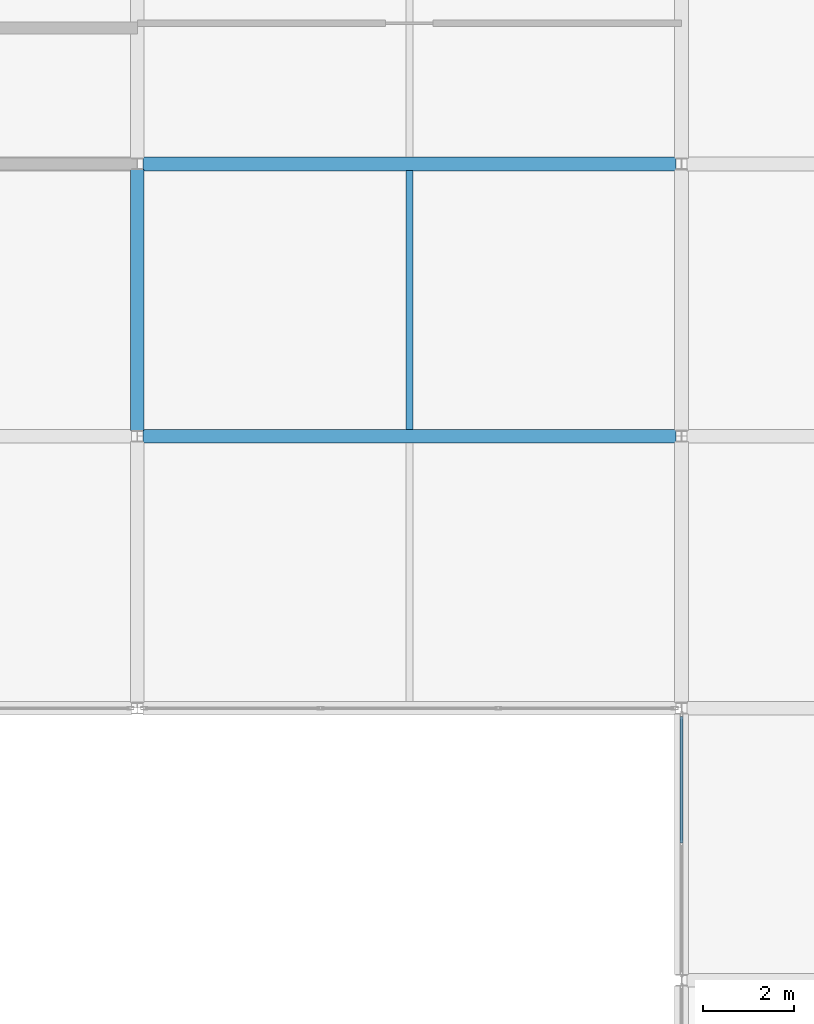
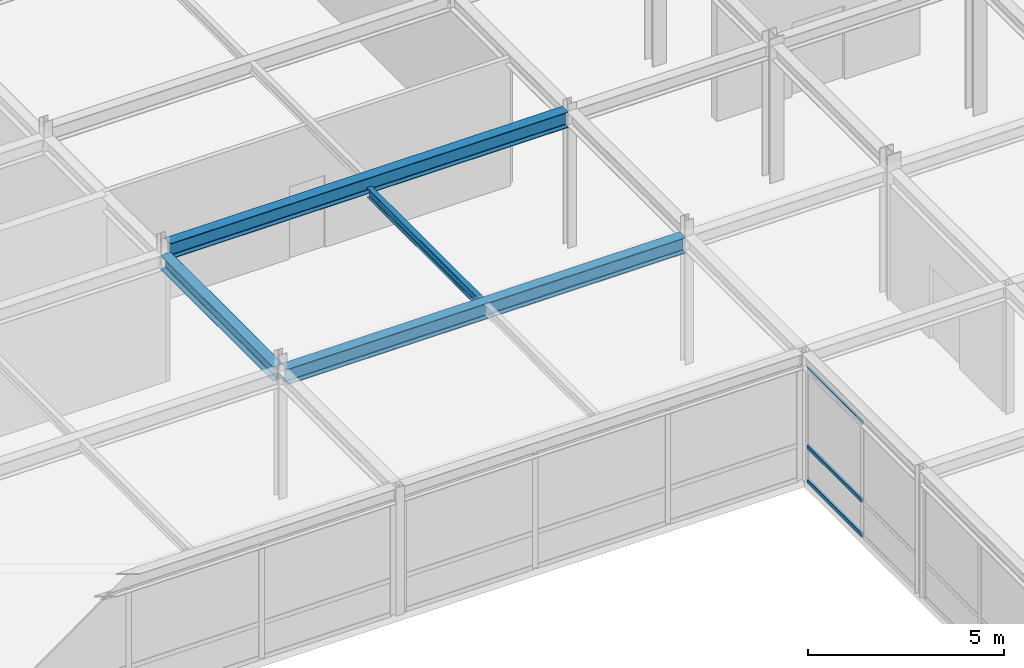
# One storey, part 75 of 111: 4 beams, 3 members, 1 element without a shape of its own.
"""IFC4 building model written with IfcOpenShell, lengths in metres."""

import ifcopenshell
import ifcopenshell.guid

model = None  # the IFC model being written
_history = None  # IfcOwnerHistory: only IFC2X3 demands one
_inside = {}  # id of a spatial element -> (the spatial element, [elements in it])
_under = {}  # id of a project, library or spatial element -> (it, [spatial elements below it])
_declared = {}  # id of a project -> (the project, [libraries it declares])
_typed = {}  # id of a type object -> (the type object, [elements of that type])
_made_of = {}  # id of a material, layer set ... -> (it, [elements and type objects made of it])


def new_model(schema):
    """Start an empty IFC model of exactly this schema.

    Asked for "IFC4X3", IfcOpenShell would pick the latest addendum, in which some entities
    have other attributes; the version numbers below select the first issue.
    IFC2X3 requires an IfcOwnerHistory on every rooted entity: one is made here for all.
    """
    global model, _history
    if schema == "IFC4X3":
        model = ifcopenshell.file(schema_version=(4, 3, 0, 0))
    else:
        model = ifcopenshell.file(schema=schema)
    _inside.clear()
    _under.clear()
    _declared.clear()
    _typed.clear()
    _made_of.clear()
    _history = None
    if model.schema == "IFC2X3":
        org = make("IfcOrganization", Name="unknown")
        user = make(
            "IfcPersonAndOrganization",
            ThePerson=make("IfcPerson", FamilyName="unknown"),
            TheOrganization=org,
        )
        app = make(
            "IfcApplication",
            ApplicationDeveloper=org,
            Version="unknown",
            ApplicationFullName="unknown",
            ApplicationIdentifier="unknown",
        )
        _history = make(
            "IfcOwnerHistory",
            OwningUser=user,
            OwningApplication=app,
            ChangeAction="ADDED",
            CreationDate=0,
        )
    return model


def make(cls, **values):
    """One entity of the class cls with the attributes given. An attribute that is None is left unset."""
    return model.create_entity(
        cls, **{name: value for name, value in values.items() if value is not None}
    )


def rooted(cls, **values):
    """An entity with a GlobalId (a new one), such as an element, a storey or a relation."""
    return make(cls, GlobalId=ifcopenshell.guid.new(), OwnerHistory=_history, **values)


def si_unit(unit_type, name, prefix=None):
    """IfcSIUnit, for example si_unit("LENGTHUNIT", "METRE", prefix="MILLI")."""
    return make("IfcSIUnit", UnitType=unit_type, Prefix=prefix, Name=name)


def assignment(units):
    """IfcUnitAssignment: the units of a project."""
    return None if units is None else make("IfcUnitAssignment", Units=units)


def point(xyz):
    """IfcCartesianPoint."""
    return None if xyz is None else make("IfcCartesianPoint", Coordinates=xyz)


def direction(xyz):
    """IfcDirection."""
    return None if xyz is None else make("IfcDirection", DirectionRatios=xyz)


def frame(location, z_axis=None, x_axis=None):
    """IfcAxis2Placement3D, a coordinate frame: its origin and axes. An axis left out is left unset."""
    return make(
        "IfcAxis2Placement3D",
        Location=point(location),
        Axis=direction(z_axis),
        RefDirection=direction(x_axis),
    )


def frame_2d(location, x_axis=None):
    """IfcAxis2Placement2D, a coordinate frame in the plane: its origin and x axis."""
    return make(
        "IfcAxis2Placement2D", Location=point(location), RefDirection=direction(x_axis)
    )


def origin():
    """The frame at (0, 0, 0) with its axes left unset."""
    return frame((0.0, 0.0, 0.0))


def origin_2d():
    """The frame at (0, 0) in the plane with its x axis left unset."""
    return frame_2d((0.0, 0.0))


def place(relative_to, where):
    """IfcLocalPlacement: puts the frame where relative to a parent placement (None: the world)."""
    return make(
        "IfcLocalPlacement", PlacementRelTo=relative_to, RelativePlacement=where
    )


def context(
    kind, dimensions, precision=None, world=None, true_north=None, identifier=None
):
    """IfcGeometricRepresentationContext, for example the 3D "Model" context."""
    return make(
        "IfcGeometricRepresentationContext",
        ContextIdentifier=identifier,
        ContextType=kind,
        CoordinateSpaceDimension=dimensions,
        Precision=precision,
        WorldCoordinateSystem=world,
        TrueNorth=true_north,
    )


def subcontext(parent, identifier, kind, view, scale=None):
    """IfcGeometricRepresentationSubContext, for example "Body" below "Model"."""
    return make(
        "IfcGeometricRepresentationSubContext",
        ContextIdentifier=identifier,
        ContextType=kind,
        ParentContext=parent,
        TargetScale=scale,
        TargetView=view,
    )


def project(units=None, contexts=None):
    """IfcProject with its units and contexts."""
    return rooted(
        "IfcProject",
        Name="project",
        RepresentationContexts=contexts,
        UnitsInContext=assignment(units),
    )


def spatial(cls, under=None, at=None, **own):
    """A site, building, storey or space (cls), placed at a placement, below another one or the project."""
    s = rooted(cls, ObjectPlacement=at, **own)
    if under is not None:
        _under.setdefault(under.id(), (under, []))[1].append(s)
    return s


def profile(cls, at=None, kind="AREA", **sizes):
    """A parametric profile (cls). Its sizes go by their IFC names, for example OverallWidth=200.0."""
    return make(cls, ProfileType=kind, Position=at, **sizes)


def hollow_rectangle(**sizes):
    """IfcRectangleHollowProfileDef."""
    return profile("IfcRectangleHollowProfileDef", **sizes)


def i_section(**sizes):
    """IfcIShapeProfileDef."""
    return profile("IfcIShapeProfileDef", **sizes)


def extrude(swept, where, along, depth):
    """IfcExtrudedAreaSolid: the profile swept, set in the frame where, extruded along a direction by depth."""
    return make(
        "IfcExtrudedAreaSolid",
        SweptArea=swept,
        Position=where,
        ExtrudedDirection=direction(along),
        Depth=depth,
    )


def shape(context_of_items, identifier, shape_type, items):
    """IfcShapeRepresentation: the items that make up one representation, for example the "Body"."""
    return make(
        "IfcShapeRepresentation",
        ContextOfItems=context_of_items,
        RepresentationIdentifier=identifier,
        RepresentationType=shape_type,
        Items=items,
    )


def material(Name=None, Category=None):
    """IfcMaterial."""
    return make("IfcMaterial", Name=Name, Category=Category)


def layer(
    of_material, thickness, ventilated=None, Name=None, Category=None, Priority=None
):
    """IfcMaterialLayer: one layer of a wall or slab, of a material (None: an air gap)."""
    return make(
        "IfcMaterialLayer",
        Material=of_material,
        LayerThickness=thickness,
        IsVentilated=ventilated,
        Name=Name,
        Category=Category,
        Priority=Priority,
    )


def layer_set(layers, Name=None):
    """IfcMaterialLayerSet."""
    return make("IfcMaterialLayerSet", MaterialLayers=layers, LayerSetName=Name)


def material_profile(
    of_material, cross_section, Name=None, Category=None, Priority=None
):
    """IfcMaterialProfile: a cross section and its material."""
    return make(
        "IfcMaterialProfile",
        Name=Name,
        Material=of_material,
        Profile=cross_section,
        Priority=Priority,
        Category=Category,
    )


def profile_set(profiles, Name=None, composite=None):
    """IfcMaterialProfileSet."""
    return make(
        "IfcMaterialProfileSet",
        Name=Name,
        MaterialProfiles=profiles,
        CompositeProfile=composite,
    )


def made_of(thing, what):
    """Note that an element or type object is made of a material, layer set ...; save() writes the relation."""
    if what is not None:
        _made_of.setdefault(what.id(), (what, []))[1].append(thing)
    return thing


def type_object(cls, material=None, **own):
    """A type object (cls), such as IfcWallType, which elements share."""
    return made_of(rooted(cls, **own), material)


def element(
    cls,
    number,
    at=None,
    inside=None,
    cuts=None,
    type_object=None,
    material=None,
    context=None,
    identifier="Body",
    shape_type=None,
    held_by="IfcProductDefinitionShape",
    body=None,
    shapes=None,
    **own,
):
    """One element of the class cls, such as IfcWall. Its Tag is "e" and its number.

    at: its placement. inside: the storey or other place that contains it. cuts: it is an
    opening in that element (IfcRelVoidsElement). A single representation is given by context,
    identifier, shape_type and body (its items); several are given by shapes. held_by: the class
    of the entity that holds the representations. save() writes the other relations.
    """
    e = rooted(cls, Tag="e%d" % number, ObjectPlacement=at, **own)
    if body is not None:
        shapes = [shape(context, identifier, shape_type, body)]
    if shapes is not None:
        e.Representation = make(held_by, Representations=shapes)
    if inside is not None:
        _inside.setdefault(inside.id(), (inside, []))[1].append(e)
    if cuts is not None:
        rooted(
            "IfcRelVoidsElement", RelatingBuildingElement=cuts, RelatedOpeningElement=e
        )
    if type_object is not None:
        _typed.setdefault(type_object.id(), (type_object, []))[1].append(e)
    return made_of(e, material)


def aggregate(whole, parts):
    """IfcRelAggregates: a whole, such as a stair, and the parts it consists of."""
    return rooted("IfcRelAggregates", RelatingObject=whole, RelatedObjects=parts)


def save(model, path):
    """Write the relations noted so far, then the file.

    IfcRelAggregates (storeys below a building ...), IfcRelContainedInSpatialStructure (elements
    in a storey), IfcRelDefinesByType, IfcRelAssociatesMaterial and IfcRelDeclares: one each for
    every whole, place, type object, material and project.
    """
    for whole, parts in _under.values():
        aggregate(whole, parts)
    for where, things in _inside.values():
        rooted(
            "IfcRelContainedInSpatialStructure",
            RelatedElements=things,
            RelatingStructure=where,
        )
    for kind, things in _typed.values():
        rooted("IfcRelDefinesByType", RelatedObjects=things, RelatingType=kind)
    for what, things in _made_of.values():
        rooted("IfcRelAssociatesMaterial", RelatedObjects=things, RelatingMaterial=what)
    for by, libraries in _declared.values():
        rooted("IfcRelDeclares", RelatingContext=by, RelatedDefinitions=libraries)
    model.write(path)


model = new_model("IFC4")

# Units and contexts
model_context = context("Model", 3, precision=1e-05, world=origin(), true_north=direction((0.0, 1.0)))
body_context = subcontext(model_context, "Body", "Model", "MODEL_VIEW")
ifc_project = project(units=[si_unit("LENGTHUNIT", "METRE"), si_unit("AREAUNIT", "SQUARE_METRE"), si_unit("VOLUMEUNIT", "CUBIC_METRE"), si_unit("PLANEANGLEUNIT", "RADIAN"), si_unit("MASSUNIT", "GRAM", prefix="KILO")], contexts=[model_context])

# Site, building, storey
site_placement = place(None, origin())
site = spatial("IfcSite", under=ifc_project, at=site_placement, CompositionType="ELEMENT")
building_placement = place(site_placement, origin())
building = spatial("IfcBuilding", under=site, at=building_placement, Name="Zlatovratsky Civic Hall", CompositionType="ELEMENT")
storey_placement = place(building_placement, frame((0.0, 0.0, 16.5)))
storey = spatial("IfcBuildingStorey", under=building, at=storey_placement, Name="L04", CompositionType="ELEMENT", Elevation=16.5)

# Beams
ifc_material_1 = material(Name="Steel S355", Category="steel")
ifc_material_profile_1 = material_profile(ifc_material_1, i_section(OverallWidth=0.300048828125, OverallDepth=0.487060546875, WebThickness=0.014404296875, FlangeThickness=0.017578125, FilletRadius=0.02392578125, at=origin_2d()), Name="50Sh2")
ifc_profile_set_1 = profile_set([ifc_material_profile_1], Name="Steel S355")
beam_type_1 = type_object("IfcBeamType", Name="Beam_ArchiveGirder_50Sh2", PredefinedType="BEAM", material=ifc_profile_set_1)
for number, where, z_axis, x_axis, name in (
    (1, (36.125, 72.0, 3.756591796875), (1.0, 0.0, 0.0), (0.0, 1.0, 0.0), "BM-3350"),
    (2, (36.125, 78.0, 4.03662109375), (1.0, 0.0, 0.0), (0.0, 1.0, 0.0), "BM-3366"),
):
    element("IfcBeam", number, at=place(storey_placement, frame(where, z_axis=z_axis, x_axis=x_axis)), inside=storey, type_object=beam_type_1, Name=name, PredefinedType="BEAM", context=body_context, shape_type="SweptSolid", body=[
        extrude(i_section(OverallWidth=0.300048828125, OverallDepth=0.487060546875, WebThickness=0.014404296875, FlangeThickness=0.017578125, FilletRadius=0.02392578125, at=origin_2d()), origin(), (0.0, 0.0, 1.0), 11.75),
    ])
ifc_material_profile_2 = material_profile(ifc_material_1, i_section(OverallWidth=0.300048828125, OverallDepth=0.43994140625, WebThickness=0.010986328125, FlangeThickness=0.01806640625, FilletRadius=0.02197265625, at=origin_2d()), Name="45Sh1")
ifc_profile_set_2 = profile_set([ifc_material_profile_2], Name="Steel S355")
beam_type_2 = type_object("IfcBeamType", Name="Beam_TowerLow_45Sh1", PredefinedType="BEAM", material=ifc_profile_set_2)
beam_1_placement = place(storey_placement, frame((36.0, 72.125, 3.780029296875), z_axis=(0.0, 1.0, 0.0), x_axis=(-1.0, 0.0, 0.0)))
element("IfcBeam", 3, at=beam_1_placement, inside=storey, type_object=beam_type_2, Name="BM-3578", PredefinedType="BEAM", context=body_context, shape_type="SweptSolid", body=[
    extrude(i_section(OverallWidth=0.300048828125, OverallDepth=0.43994140625, WebThickness=0.010986328125, FlangeThickness=0.01806640625, FilletRadius=0.02197265625, at=origin_2d()), origin(), (0.0, 0.0, 1.0), 5.75),
])

# Curtain wall, members
ifc_material_2 = material(Name="Anodised bronze aluminium", Category="aluminium")
ifc_layer = layer(ifc_material_2, 0.159912109375)
ifc_layer_set = layer_set([ifc_layer], Name="Anodised bronze aluminium")
curtain_wall_type = type_object("IfcCurtainWallType", Name="CurtainWall_Bronze_5750x3550_18", PredefinedType="NOTDEFINED", material=ifc_layer_set)
curtain_wall_placement = place(storey_placement, origin())
curtain_wall = element("IfcCurtainWall", 4, at=curtain_wall_placement, inside=storey, type_object=curtain_wall_type, Name="CW-110", PredefinedType="NOTDEFINED")
ifc_material_profile_3 = material_profile(ifc_material_2, hollow_rectangle(XDim=0.06005859375, YDim=0.1201171875, WallThickness=0.00390625, at=origin_2d()), Name="ALU 60x120x4")
ifc_profile_set_3 = profile_set([ifc_material_profile_3], Name="Anodised bronze aluminium")
member_type = type_object("IfcMemberType", Name="CW_Transom_60x120", PredefinedType="USERDEFINED", material=ifc_profile_set_3)
member_1_placement = place(storey_placement, frame((48.0, 63.030029296875, 0.030029296875), z_axis=(0.0, 1.0, 0.0), x_axis=(-1.0, 0.0, 0.0)))
member_1 = element("IfcMember", 5, at=member_1_placement, type_object=member_type, Name="CW-18 transom 2.1", ObjectType="TRANSOM", PredefinedType="USERDEFINED", context=body_context, shape_type="SweptSolid", body=[
    extrude(hollow_rectangle(XDim=0.06005859375, YDim=0.1201171875, WallThickness=0.00390625, at=origin_2d()), origin(), (0.0, 0.0, 1.0), 2.784912109375),
])
member_2_placement = place(storey_placement, frame((48.0, 63.030029296875, 1.10009765625), z_axis=(0.0, 1.0, 0.0), x_axis=(-1.0, 0.0, 0.0)))
member_2 = element("IfcMember", 6, at=member_2_placement, type_object=member_type, Name="CW-18 transom 2.2", ObjectType="TRANSOM", PredefinedType="USERDEFINED", context=body_context, shape_type="SweptSolid", body=[
    extrude(hollow_rectangle(XDim=0.06005859375, YDim=0.1201171875, WallThickness=0.00390625, at=origin_2d()), origin(), (0.0, 0.0, 1.0), 2.784912109375),
])
member_3_placement = place(storey_placement, frame((48.0, 63.030029296875, 3.52001953125), z_axis=(0.0, 1.0, 0.0), x_axis=(-1.0, 0.0, 0.0)))
member_3 = element("IfcMember", 7, at=member_3_placement, type_object=member_type, Name="CW-18 transom 2.3", ObjectType="TRANSOM", PredefinedType="USERDEFINED", context=body_context, shape_type="SweptSolid", body=[
    extrude(hollow_rectangle(XDim=0.06005859375, YDim=0.1201171875, WallThickness=0.00390625, at=origin_2d()), origin(), (0.0, 0.0, 1.0), 2.784912109375),
])
aggregate(curtain_wall, [member_1, member_2, member_3])

# Beam
ifc_material_profile_4 = material_profile(ifc_material_1, i_section(OverallWidth=0.14892578125, OverallDepth=0.2958984375, WebThickness=0.005615234375, FlangeThickness=0.008056640625, FilletRadius=0.012939453125, at=origin_2d()), Name="30B1")
ifc_profile_set_4 = profile_set([ifc_material_profile_4], Name="Steel S355")
beam_type_3 = type_object("IfcBeamType", Name="Joist_Tower_30B1", PredefinedType="JOIST", material=ifc_profile_set_4)
beam_2_placement = place(storey_placement, frame((42.0, 72.14990234375, 3.85205078125), z_axis=(0.0, 1.0, 0.0), x_axis=(-1.0, 0.0, 0.0)))
element("IfcBeam", 8, at=beam_2_placement, inside=storey, type_object=beam_type_3, Name="BM-3867", PredefinedType="JOIST", context=body_context, shape_type="SweptSolid", body=[
    extrude(i_section(OverallWidth=0.14892578125, OverallDepth=0.2958984375, WebThickness=0.005615234375, FlangeThickness=0.008056640625, FilletRadius=0.012939453125, at=origin_2d()), origin(), (0.0, 0.0, 1.0), 5.7001953125),
])

save(model, "model.ifc")
